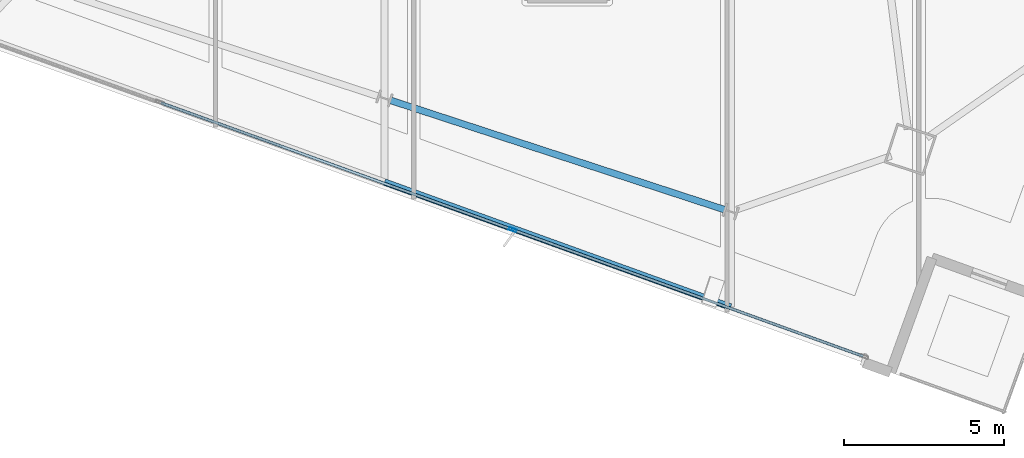
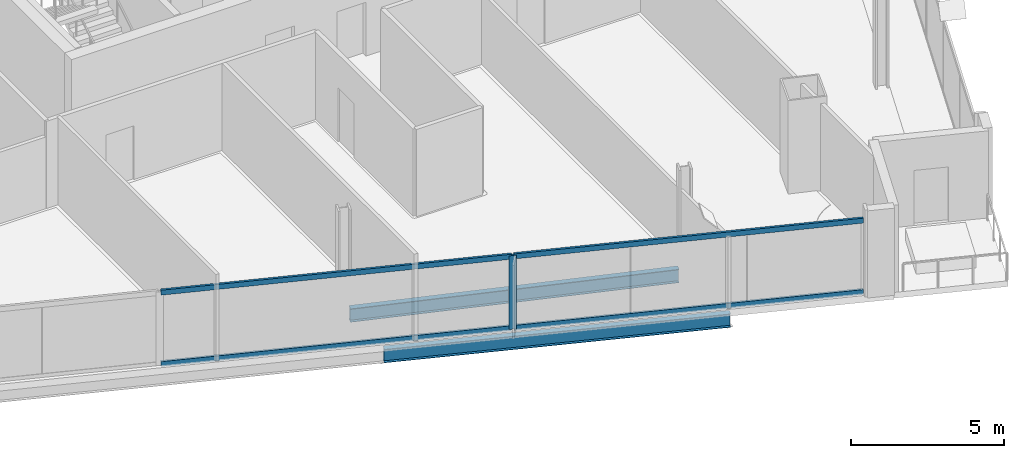
# One storey, part 3 of 27: 5 members, 2 beams, 1 element without a shape of its own.
"""IFC4 building model written with IfcOpenShell, lengths in metres."""

from ifc_helpers import new_model, si_unit, direction, frame, origin, origin_2d, place, context, subcontext, project, spatial, hollow_rectangle, i_section, extrude, material, material_profile, profile_set, type_object, element, aggregate, save


model = new_model("IFC4")

# Units and contexts
model_context = context("Model", 3, precision=1e-05, world=origin(), true_north=direction((0.0, 1.0)))
body_context = subcontext(model_context, "Body", "Model", "MODEL_VIEW")
ifc_project = project(units=[si_unit("LENGTHUNIT", "METRE"), si_unit("AREAUNIT", "SQUARE_METRE"), si_unit("VOLUMEUNIT", "CUBIC_METRE"), si_unit("PLANEANGLEUNIT", "RADIAN"), si_unit("MASSUNIT", "GRAM", prefix="KILO")], contexts=[model_context])

# Site, building, storey
site_placement = place(None, origin())
site = spatial("IfcSite", under=ifc_project, at=site_placement, CompositionType="ELEMENT")
building_placement = place(site_placement, origin())
building = spatial("IfcBuilding", under=site, at=building_placement, Name="Haldenkirk Collegiate Tower", CompositionType="ELEMENT")
storey_placement = place(building_placement, frame((0.0, 0.0, 263.699951171875)))
storey = spatial("IfcBuildingStorey", under=building, at=storey_placement, Name="L66", CompositionType="ELEMENT", Elevation=263.699951171875)

# Beams
ifc_material_1 = material(Name="Steel ASTM A992 Grade 50", Category="steel")
ifc_material_profile_1 = material_profile(ifc_material_1, i_section(OverallWidth=0.2099609375, OverallDepth=0.537109375, WebThickness=0.010986328125, FlangeThickness=0.017333984375, at=origin_2d()), Name="W21X68")
ifc_profile_set_1 = profile_set([ifc_material_profile_1], Name="Steel ASTM A992 Grade 50")
beam_type = type_object("IfcBeamType", Name="BM-SPANDREL-W21X68", PredefinedType="SPANDREL", material=ifc_profile_set_1)
beam_1_placement = place(storey_placement, frame((30.4755859375, 5.97509765625, -0.538330078125), z_axis=(0.95040429397, -0.311017166733, 0.0), x_axis=(0.311017166733, 0.95040429397, 0.0)))
element("IfcBeam", 1, at=beam_1_placement, inside=storey, type_object=beam_type, Name="L66 perimeter spandrel beam 15", PredefinedType="SPANDREL", context=body_context, shape_type="SweptSolid", body=[
    extrude(i_section(OverallWidth=0.2099609375, OverallDepth=0.537109375, WebThickness=0.010986328125, FlangeThickness=0.017333984375, at=origin_2d()), origin(), (0.0, 0.0, 1.0), 10.988037109375),
])
beam_2_placement = place(storey_placement, frame((30.283203125, 3.419677734375, -0.538330078125), z_axis=(0.940578550152, -0.339576193209, 0.0), x_axis=(0.339576193209, 0.940578550152, 0.0)))
element("IfcBeam", 2, at=beam_2_placement, inside=storey, type_object=beam_type, Name="L66 outer facade edge beam 4B", PredefinedType="SPANDREL", context=body_context, shape_type="SweptSolid", body=[
    extrude(i_section(OverallWidth=0.2099609375, OverallDepth=0.537109375, WebThickness=0.010986328125, FlangeThickness=0.017333984375, at=origin_2d()), origin(), (0.0, 0.0, 1.0), 11.511962890625),
])

# Curtain wall, members
ifc_material_2 = material(Name="Anodised architectural bronze aluminium", Category="aluminium")
curtain_wall_type = type_object("IfcCurtainWallType", Name="CW-SYS1B-CONVEX-HI", PredefinedType="USERDEFINED", material=ifc_material_2)
curtain_wall_placement = place(storey_placement, origin())
curtain_wall = element("IfcCurtainWall", 3, at=curtain_wall_placement, inside=storey, type_object=curtain_wall_type, Name="L66 Upper tower high-wind convex bronze unitised curtain wall", ObjectType="UNITISED CURTAIN WALL", PredefinedType="USERDEFINED")
ifc_material_profile_2 = material_profile(ifc_material_2, hollow_rectangle(XDim=0.0849609375, YDim=0.25, WallThickness=0.0048828125, at=origin_2d()), Name="CW-MUL-1B")
ifc_profile_set_2 = profile_set([ifc_material_profile_2], Name="Anodised architectural bronze aluminium")
member_type_1 = type_object("IfcMemberType", Name="CW-MUL-1B", PredefinedType="MULLION", material=ifc_profile_set_2)
member_1_placement = place(storey_placement, frame((34.2919921875, 1.929931640625, 0.0), z_axis=(0.0, 0.0, 1.0), x_axis=(-0.339558525625, -0.940584928475, 0.0)))
member_1 = element("IfcMember", 4, at=member_1_placement, type_object=member_type_1, Name="CW-1B mullion 2", PredefinedType="MULLION", context=body_context, shape_type="SweptSolid", body=[
    extrude(hollow_rectangle(XDim=0.0849609375, YDim=0.25, WallThickness=0.0048828125, at=origin_2d()), origin(), (0.0, 0.0, 1.0), 2.93798828125),
])
ifc_material_profile_3 = material_profile(ifc_material_2, hollow_rectangle(XDim=0.0849609375, YDim=0.199951171875, WallThickness=0.0048828125, at=origin_2d()), Name="CW-TRN-1B")
ifc_profile_set_3 = profile_set([ifc_material_profile_3], Name="Anodised architectural bronze aluminium")
member_type_2 = type_object("IfcMemberType", Name="CW-TRN-1B", PredefinedType="USERDEFINED", material=ifc_profile_set_3)
member_2_placement = place(storey_placement, frame((45.248291015625, -2.025390625, 0.04248046875), z_axis=(-0.940583203017, 0.339563305148, 0.0), x_axis=(-0.339563305148, -0.940583203017, 0.0)))
member_2 = element("IfcMember", 5, at=member_2_placement, type_object=member_type_2, Name="CW-1B transom 1.1", ObjectType="TRANSOM", PredefinedType="USERDEFINED", context=body_context, shape_type="SweptSolid", body=[
    extrude(hollow_rectangle(XDim=0.0849609375, YDim=0.199951171875, WallThickness=0.0048828125, at=origin_2d()), origin(), (0.0, 0.0, 1.0), 11.60595703125),
])
member_3_placement = place(storey_placement, frame((45.248291015625, -2.025390625, 2.8955078125), z_axis=(-0.940583203017, 0.339563305148, 0.0), x_axis=(-0.339563305148, -0.940583203017, 0.0)))
member_3 = element("IfcMember", 6, at=member_3_placement, type_object=member_type_2, Name="CW-1B transom 1.2", ObjectType="TRANSOM", PredefinedType="USERDEFINED", context=body_context, shape_type="SweptSolid", body=[
    extrude(hollow_rectangle(XDim=0.0849609375, YDim=0.199951171875, WallThickness=0.0048828125, at=origin_2d()), origin(), (0.0, 0.0, 1.0), 11.60595703125),
])
member_4_placement = place(storey_placement, frame((34.251953125, 1.9443359375, 0.04248046875), z_axis=(-0.940584583508, 0.339559481191, 0.0), x_axis=(-0.339559481191, -0.940584583508, 0.0)))
member_4 = element("IfcMember", 7, at=member_4_placement, type_object=member_type_2, Name="CW-1B transom 2.1", ObjectType="TRANSOM", PredefinedType="USERDEFINED", context=body_context, shape_type="SweptSolid", body=[
    extrude(hollow_rectangle(XDim=0.0849609375, YDim=0.199951171875, WallThickness=0.0048828125, at=origin_2d()), origin(), (0.0, 0.0, 1.0), 11.6484375),
])
member_5_placement = place(storey_placement, frame((34.251953125, 1.9443359375, 2.8955078125), z_axis=(-0.940584583508, 0.339559481191, 0.0), x_axis=(-0.339559481191, -0.940584583508, 0.0)))
member_5 = element("IfcMember", 8, at=member_5_placement, type_object=member_type_2, Name="CW-1B transom 2.2", ObjectType="TRANSOM", PredefinedType="USERDEFINED", context=body_context, shape_type="SweptSolid", body=[
    extrude(hollow_rectangle(XDim=0.0849609375, YDim=0.199951171875, WallThickness=0.0048828125, at=origin_2d()), origin(), (0.0, 0.0, 1.0), 11.6484375),
])
aggregate(curtain_wall, [member_1, member_2, member_3, member_4, member_5])

save(model, "model.ifc")
